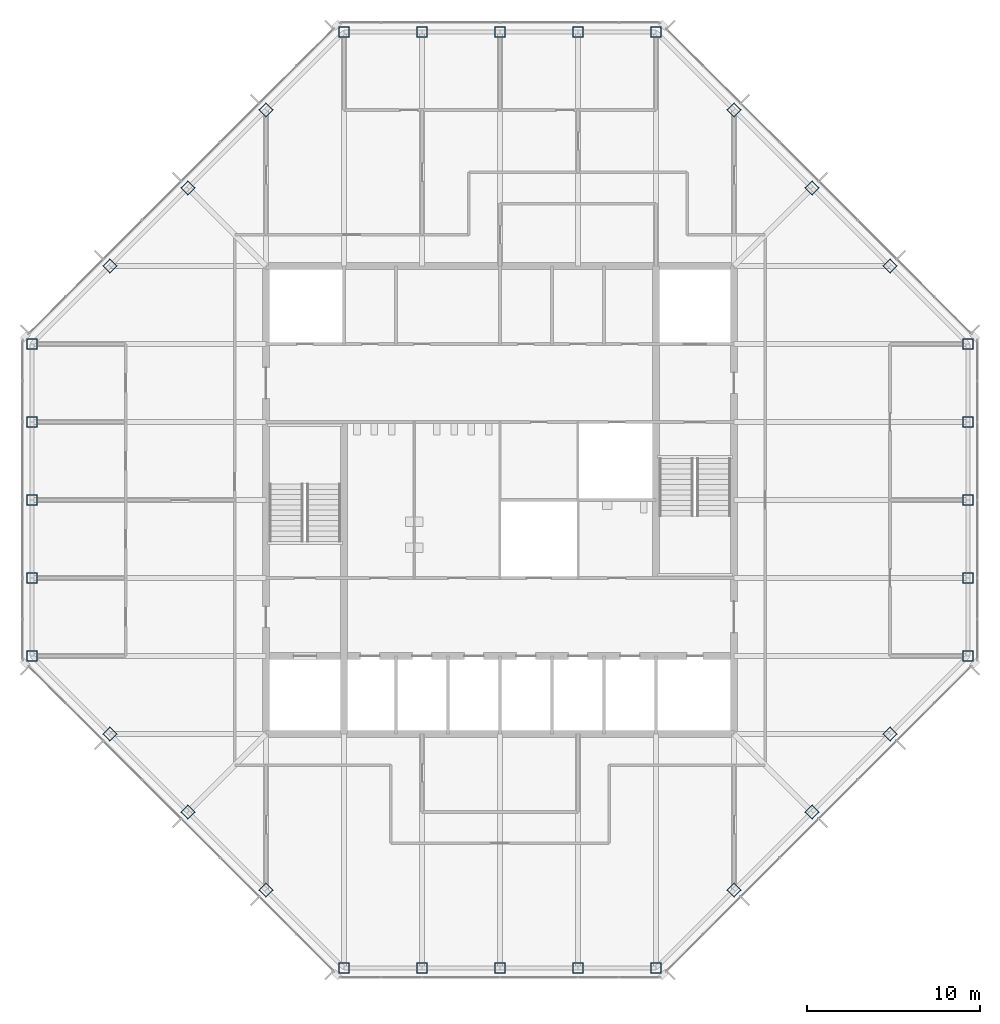
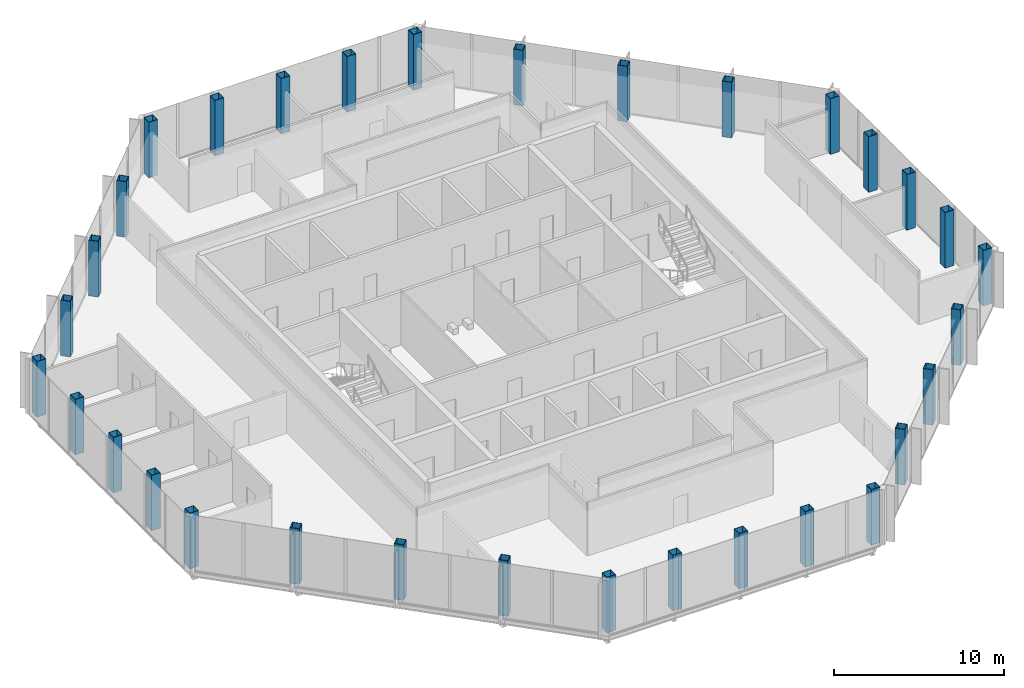
# One storey, part 1 of 14: 32 columns.
"""IFC4 building model written with IfcOpenShell, lengths in metres."""

from ifc_helpers import new_model, si_unit, direction, frame, origin, origin_2d, place, context, subcontext, project, spatial, hollow_rectangle, extrude, material, material_profile, profile_set, type_object, element, save


model = new_model("IFC4")

# Units and contexts
model_context = context("Model", 3, precision=1e-05, world=origin(), true_north=direction((0.0, 1.0)))
body_context = subcontext(model_context, "Body", "Model", "MODEL_VIEW")
ifc_project = project(units=[si_unit("LENGTHUNIT", "METRE"), si_unit("AREAUNIT", "SQUARE_METRE"), si_unit("VOLUMEUNIT", "CUBIC_METRE"), si_unit("PLANEANGLEUNIT", "RADIAN"), si_unit("MASSUNIT", "GRAM", prefix="KILO")], contexts=[model_context])

# Site, building, storey
site_placement = place(None, origin())
site = spatial("IfcSite", under=ifc_project, at=site_placement, CompositionType="ELEMENT")
building_placement = place(site_placement, origin())
building = spatial("IfcBuilding", under=site, at=building_placement, Name="Corais Broadcast Tower", CompositionType="ELEMENT")
storey_placement = place(building_placement, frame((0.0, 0.0, 266.60009765625)))
storey = spatial("IfcBuildingStorey", under=building, at=storey_placement, Name="L62", CompositionType="ELEMENT", Elevation=266.60009765625)

# Columns
ifc_material = material(Name="Steel ASTM A572 Grade 50", Category="steel")
ifc_material_profile = material_profile(ifc_material, hollow_rectangle(XDim=0.60009765625, YDim=0.60009765625, WallThickness=0.028076171875, at=origin_2d()), Name="BOX 600x600x28")
ifc_profile_set = profile_set([ifc_material_profile], Name="Steel ASTM A572 Grade 50")
column_type = type_object("IfcColumnType", Name="Column BOX 600x600x28", PredefinedType="COLUMN", material=ifc_profile_set)
for number, where, z_axis, x_axis, name in (
    (1, (18.0, 0.0, 0.0), (0.0, 0.0, 1.0), (1.0, 0.0, 0.0), "C7 A/7"),
    (2, (22.5, 0.0, 0.0), (0.0, 0.0, 1.0), (1.0, 0.0, 0.0), "C7 A/8"),
    (3, (27.0, 0.0, 0.0), (0.0, 0.0, 1.0), (1.0, 0.0, 0.0), "C7 A/9"),
    (4, (31.5, 0.0, 0.0), (0.0, 0.0, 1.0), (1.0, 0.0, 0.0), "C7 A/10"),
    (5, (36.0, 0.0, 0.0), (0.0, 0.0, 1.0), (1.0, 0.0, 0.0), "C7 A/11"),
    (6, (54.0, 18.0, 0.0), (0.0, 0.0, 1.0), (1.0, 0.0, 0.0), "C7 E/15"),
    (7, (54.0, 22.5, 0.0), (0.0, 0.0, 1.0), (1.0, 0.0, 0.0), "C7 F/15"),
    (8, (54.0, 27.0, 0.0), (0.0, 0.0, 1.0), (1.0, 0.0, 0.0), "C7 G/15"),
    (9, (54.0, 31.5, 0.0), (0.0, 0.0, 1.0), (1.0, 0.0, 0.0), "C7 H/15"),
    (10, (54.0, 36.0, 0.0), (0.0, 0.0, 1.0), (1.0, 0.0, 0.0), "C7 J/15"),
    (11, (36.0, 54.0, 0.0), (0.0, 0.0, 1.0), (1.0, 0.0, 0.0), "C7 N/11"),
    (12, (31.5, 54.0, 0.0), (0.0, 0.0, 1.0), (1.0, 0.0, 0.0), "C7 N/10"),
    (13, (27.0, 54.0, 0.0), (0.0, 0.0, 1.0), (1.0, 0.0, 0.0), "C7 N/9"),
    (14, (22.5, 54.0, 0.0), (0.0, 0.0, 1.0), (1.0, 0.0, 0.0), "C7 N/8"),
    (15, (18.0, 54.0, 0.0), (0.0, 0.0, 1.0), (1.0, 0.0, 0.0), "C7 N/7"),
    (16, (0.0, 36.0, 0.0), (0.0, 0.0, 1.0), (1.0, 0.0, 0.0), "C7 J/3"),
    (17, (0.0, 31.5, 0.0), (0.0, 0.0, 1.0), (1.0, 0.0, 0.0), "C7 H/3"),
    (18, (0.0, 27.0, 0.0), (0.0, 0.0, 1.0), (1.0, 0.0, 0.0), "C7 G/3"),
    (19, (0.0, 22.5, 0.0), (0.0, 0.0, 1.0), (1.0, 0.0, 0.0), "C7 F/3"),
    (20, (0.0, 18.0, 0.0), (0.0, 0.0, 1.0), (1.0, 0.0, 0.0), "C7 E/3"),
    (21, (13.5, 4.5, 0.0), (0.0, 0.0, 1.0), (0.707106781187, 0.707106781187, 0.0), "C7 B/6"),
    (22, (9.0, 9.0, 0.0), (0.0, 0.0, 1.0), (0.707106781187, 0.707106781187, 0.0), "C7 C/5"),
    (23, (4.5, 13.5, 0.0), (0.0, 0.0, 1.0), (0.707106781187, 0.707106781187, 0.0), "C7 D/4"),
    (24, (40.5, 4.5, 0.0), (0.0, 0.0, 1.0), (0.707106781187, 0.707106781187, 0.0), "C7 B/12"),
    (25, (45.0, 9.0, 0.0), (0.0, 0.0, 1.0), (0.707106781187, 0.707106781187, 0.0), "C7 C/13"),
    (26, (49.5, 13.5, 0.0), (0.0, 0.0, 1.0), (0.707106781187, 0.707106781187, 0.0), "C7 D/14"),
    (27, (49.5, 40.5, 0.0), (0.0, 0.0, 1.0), (0.707106781187, 0.707106781187, 0.0), "C7 K/14"),
    (28, (45.0, 45.0, 0.0), (0.0, 0.0, 1.0), (0.707106781187, 0.707106781187, 0.0), "C7 L/13"),
    (29, (40.5, 49.5, 0.0), (0.0, 0.0, 1.0), (0.707106781187, 0.707106781187, 0.0), "C7 M/12"),
    (30, (4.5, 40.5, 0.0), (0.0, 0.0, 1.0), (0.707106781187, 0.707106781187, 0.0), "C7 K/4"),
    (31, (9.0, 45.0, 0.0), (0.0, 0.0, 1.0), (0.707106781187, 0.707106781187, 0.0), "C7 L/5"),
    (32, (13.5, 49.5, 0.0), (0.0, 0.0, 1.0), (0.707106781187, 0.707106781187, 0.0), "C7 M/6"),
):
    element("IfcColumn", number, at=place(storey_placement, frame(where, z_axis=z_axis, x_axis=x_axis)), inside=storey, type_object=column_type, Name=name, PredefinedType="COLUMN", context=body_context, shape_type="SweptSolid", body=[
        extrude(hollow_rectangle(XDim=0.60009765625, YDim=0.60009765625, WallThickness=0.028076171875, at=origin_2d()), origin(), (0.0, 0.0, 1.0), 4.0),
    ])

save(model, "model.ifc")
